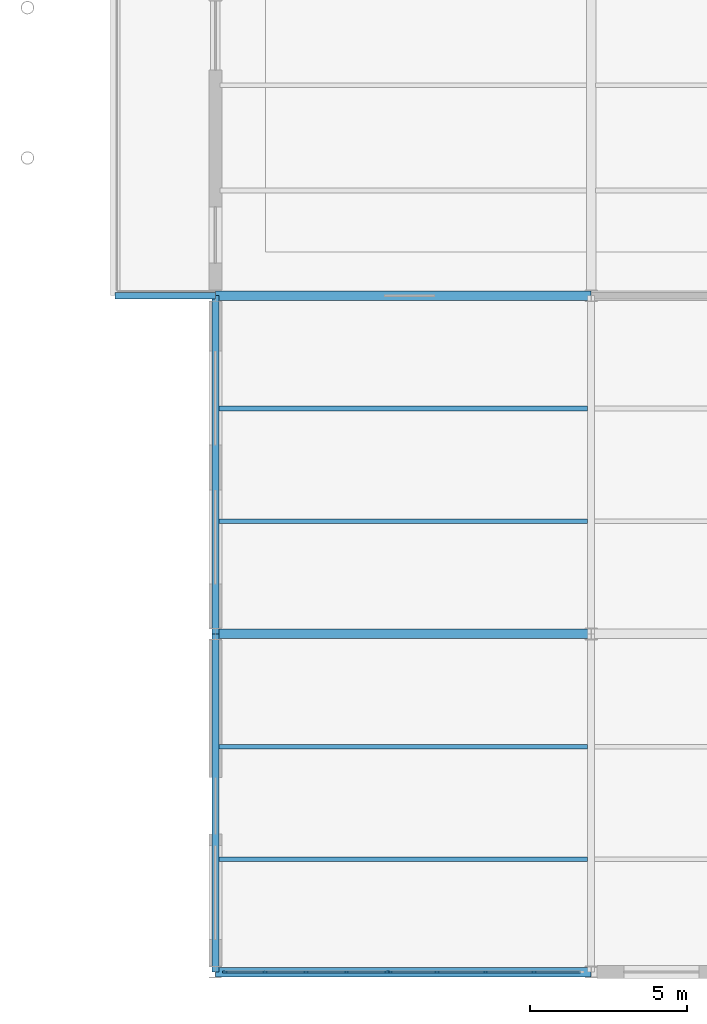
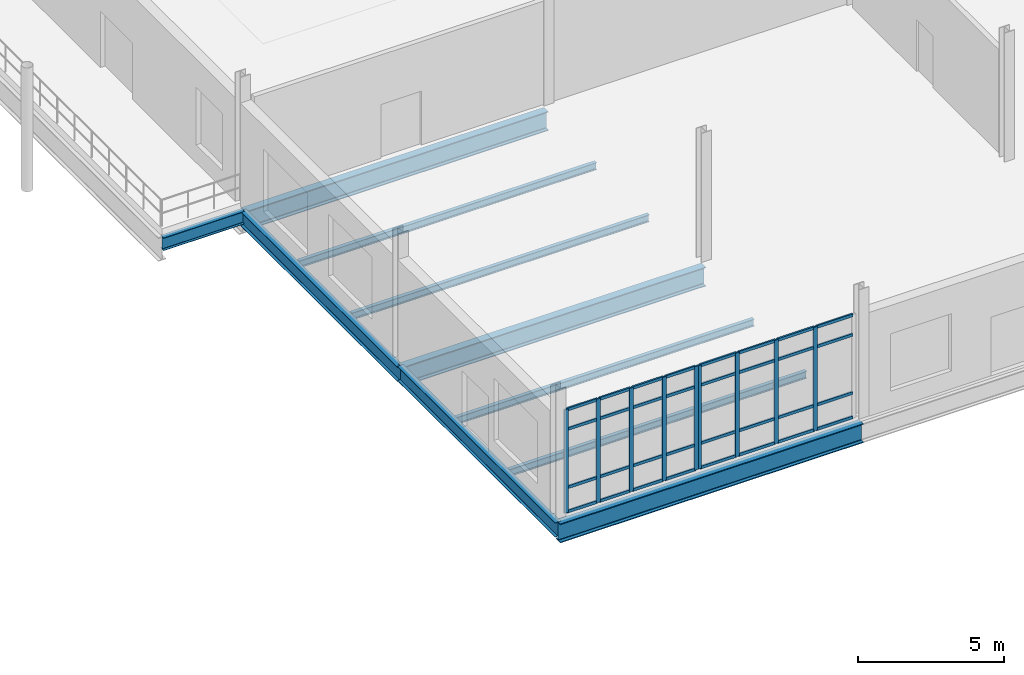
# One storey, part 41 of 111: 41 members, 10 beams, 2 elements without a shape of their own.
"""IFC4 building model written with IfcOpenShell, lengths in metres."""

from ifc_helpers import new_model, si_unit, direction, frame, origin, origin_2d, place, context, subcontext, project, spatial, rectangle, i_section, extrude, material, layer, layer_set, material_profile, profile_set, type_object, element, aggregate, save


model = new_model("IFC4")

# Units and contexts
model_context = context("Model", 3, precision=1e-05, world=origin(), true_north=direction((0.0, 1.0)))
body_context = subcontext(model_context, "Body", "Model", "MODEL_VIEW")
ifc_project = project(units=[si_unit("LENGTHUNIT", "METRE"), si_unit("AREAUNIT", "SQUARE_METRE"), si_unit("VOLUMEUNIT", "CUBIC_METRE"), si_unit("PLANEANGLEUNIT", "RADIAN"), si_unit("MASSUNIT", "GRAM", prefix="KILO"), si_unit("THERMODYNAMICTEMPERATUREUNIT", "KELVIN"), si_unit("POWERUNIT", "WATT")], contexts=[model_context])

# Site, building, storey
site_placement = place(None, origin())
site = spatial("IfcSite", under=ifc_project, at=site_placement, CompositionType="ELEMENT")
building_placement = place(site_placement, origin())
building = spatial("IfcBuilding", under=site, at=building_placement, Name="Tembeka Court Mobility Hub", CompositionType="ELEMENT")
storey_placement = place(building_placement, origin())
storey = spatial("IfcBuildingStorey", under=building, at=storey_placement, Name="L00", CompositionType="ELEMENT", Elevation=0.0)

# Beams
ifc_material_1 = material(Name="Steel S355", Category="steel")
ifc_material_profile_1 = material_profile(ifc_material_1, i_section(OverallWidth=0.22900390625, OverallDepth=0.612060546875, WebThickness=0.011962890625, FlangeThickness=0.01953125, FilletRadius=0.0126953125, at=origin_2d()), Name="UKB 610x229x125")
ifc_profile_set_1 = profile_set([ifc_material_profile_1], Name="Steel S355")
beam_type_1 = type_object("IfcBeamType", Name="BM-G02", PredefinedType="USERDEFINED", material=ifc_profile_set_1)
for number, where, z_axis, x_axis, name in (
    (1, (116.39990234375, 0.0, -0.5859375), (0.0, 1.0, 0.0), (-1.0, 0.0, 0.0), "Beam G02 (BM-L00-Y0274)"),
    (2, (116.39990234375, 10.800048828125, -0.6259765625), (0.0, 1.0, 0.0), (-1.0, 0.0, 0.0), "Beam G02 (BM-L00-Y0275)"),
):
    element("IfcBeam", number, at=place(storey_placement, frame(where, z_axis=z_axis, x_axis=x_axis)), inside=storey, type_object=beam_type_1, Name=name, ObjectType="GIRDER", PredefinedType="USERDEFINED", context=body_context, shape_type="SweptSolid", body=[
        extrude(i_section(OverallWidth=0.22900390625, OverallDepth=0.612060546875, WebThickness=0.011962890625, FlangeThickness=0.01953125, FilletRadius=0.0126953125, at=origin_2d()), origin(), (0.0, 0.0, 1.0), 10.800048828125),
    ])
ifc_material_profile_2 = material_profile(ifc_material_1, i_section(OverallWidth=0.2099609375, OverallDepth=0.537109375, WebThickness=0.0107421875, FlangeThickness=0.017333984375, FilletRadius=0.0126953125, at=origin_2d()), Name="UKB 533x210x101")
ifc_profile_set_2 = profile_set([ifc_material_profile_2], Name="Steel S355")
beam_type_2 = type_object("IfcBeamType", Name="BM-G03", PredefinedType="USERDEFINED", material=ifc_profile_set_2)
beam_placement = place(storey_placement, frame((113.199951171875, 21.60009765625, -0.58837890625), z_axis=(1.0, 0.0, 0.0), x_axis=(0.0, 1.0, 0.0)))
element("IfcBeam", 3, at=beam_placement, inside=storey, type_object=beam_type_2, Name="Beam G03 (BM-L00-X0035)", ObjectType="GIRDER", PredefinedType="USERDEFINED", context=body_context, shape_type="SweptSolid", body=[
    extrude(i_section(OverallWidth=0.2099609375, OverallDepth=0.537109375, WebThickness=0.0107421875, FlangeThickness=0.017333984375, FilletRadius=0.0126953125, at=origin_2d()), origin(), (0.0, 0.0, 1.0), 3.199951171875),
])
ifc_material_profile_3 = material_profile(ifc_material_1, i_section(OverallWidth=0.300048828125, OverallDepth=0.800048828125, WebThickness=0.017578125, FlangeThickness=0.034912109375, FilletRadius=0.030029296875, at=origin_2d()), Name="HEB 800")
ifc_profile_set_3 = profile_set([ifc_material_profile_3], Name="Steel S355")
beam_type_3 = type_object("IfcBeamType", Name="BM-G04", PredefinedType="USERDEFINED", material=ifc_profile_set_3)
for number, where, z_axis, x_axis, name in (
    (4, (116.39990234375, 0.0, -0.679931640625), (1.0, 0.0, 0.0), (0.0, 1.0, 0.0), "Beam G04 (BM-L00-X0011)"),
    (5, (116.39990234375, 10.800048828125, -0.679931640625), (1.0, 0.0, 0.0), (0.0, 1.0, 0.0), "Beam G04 (BM-L00-X0019)"),
    (6, (116.39990234375, 21.60009765625, -0.719970703125), (1.0, 0.0, 0.0), (0.0, 1.0, 0.0), "Beam G04 (BM-L00-X0036)"),
):
    element("IfcBeam", number, at=place(storey_placement, frame(where, z_axis=z_axis, x_axis=x_axis)), inside=storey, type_object=beam_type_3, Name=name, ObjectType="GIRDER", PredefinedType="USERDEFINED", context=body_context, shape_type="SweptSolid", body=[
        extrude(i_section(OverallWidth=0.300048828125, OverallDepth=0.800048828125, WebThickness=0.017578125, FlangeThickness=0.034912109375, FilletRadius=0.030029296875, at=origin_2d()), origin(), (0.0, 0.0, 1.0), 12.0),
    ])
ifc_material_profile_4 = material_profile(ifc_material_1, i_section(OverallWidth=0.14990234375, OverallDepth=0.300048828125, WebThickness=0.007080078125, FlangeThickness=0.0107421875, FilletRadius=0.014892578125, at=origin_2d()), Name="IPE 300")
ifc_profile_set_4 = profile_set([ifc_material_profile_4], Name="Steel S355")
beam_type_4 = type_object("IfcBeamType", Name="BM-J04", PredefinedType="JOIST", material=ifc_profile_set_4)
for number, where, z_axis, x_axis, name in (
    (7, (116.509521484375, 3.60009765625, -0.429931640625), (1.0, 0.0, 0.0), (0.0, 1.0, 0.0), "Beam J04 (JST-L00-0522)"),
    (8, (116.509521484375, 7.199951171875, -0.429931640625), (1.0, 0.0, 0.0), (0.0, 1.0, 0.0), "Beam J04 (JST-L00-0523)"),
    (9, (116.509521484375, 14.39990234375, -0.429931640625), (1.0, 0.0, 0.0), (0.0, 1.0, 0.0), "Beam J04 (JST-L00-0524)"),
    (10, (116.509521484375, 18.0, -0.429931640625), (1.0, 0.0, 0.0), (0.0, 1.0, 0.0), "Beam J04 (JST-L00-0525)"),
):
    element("IfcBeam", number, at=place(storey_placement, frame(where, z_axis=z_axis, x_axis=x_axis)), inside=storey, type_object=beam_type_4, Name=name, PredefinedType="JOIST", context=body_context, shape_type="SweptSolid", body=[
        extrude(i_section(OverallWidth=0.14990234375, OverallDepth=0.300048828125, WebThickness=0.007080078125, FlangeThickness=0.0107421875, FilletRadius=0.014892578125, at=origin_2d()), origin(), (0.0, 0.0, 1.0), 11.781005859375),
    ])

# Curtain wall, members
ifc_material_2 = material(Name="Anodised aluminium 6063-T6", Category="aluminium")
ifc_layer_1 = layer(ifc_material_2, 0.159912109375)
ifc_layer_set_1 = layer_set([ifc_layer_1], Name="Anodised aluminium 6063-T6")
curtain_wall_type_1 = type_object("IfcCurtainWallType", Name="CW-SYS31", PredefinedType="USERDEFINED", material=ifc_layer_set_1)
curtain_wall_1_placement = place(storey_placement, origin())
curtain_wall_1 = element("IfcCurtainWall", 11, at=curtain_wall_1_placement, inside=storey, type_object=curtain_wall_type_1, Name="Unitised curtain wall CW31 (CW-L00-093)", ObjectType="UNITISED GLAZING", PredefinedType="USERDEFINED")
ifc_material_profile_5 = material_profile(ifc_material_2, rectangle(XDim=0.06494140625, YDim=0.159912109375, at=origin_2d()), Name="ALU-MUL 65x160")
ifc_profile_set_5 = profile_set([ifc_material_profile_5], Name="Anodised aluminium 6063-T6")
member_type_1 = type_object("IfcMemberType", Name="CW-MUL01", PredefinedType="MULLION", material=ifc_profile_set_5)
member_1_placement = place(storey_placement, frame((116.71240234375, 0.0, 0.0), z_axis=(0.0, 0.0, 1.0), x_axis=(0.0, 1.0, 0.0)))
member_1 = element("IfcMember", 12, at=member_1_placement, type_object=member_type_1, Name="CW31 mullion 1", PredefinedType="MULLION", context=body_context, shape_type="SweptSolid", body=[
    extrude(rectangle(XDim=0.06494140625, YDim=0.159912109375, at=origin_2d()), origin(), (0.0, 0.0, 1.0), 4.3349609375),
])
member_2_placement = place(storey_placement, frame((117.985107421875, 0.0, 0.0), z_axis=(0.0, 0.0, 1.0), x_axis=(0.0, 1.0, 0.0)))
member_2 = element("IfcMember", 13, at=member_2_placement, type_object=member_type_1, Name="CW31 mullion 2", PredefinedType="MULLION", context=body_context, shape_type="SweptSolid", body=[
    extrude(rectangle(XDim=0.06494140625, YDim=0.159912109375, at=origin_2d()), origin(), (0.0, 0.0, 1.0), 4.3349609375),
])
member_3_placement = place(storey_placement, frame((119.2900390625, 0.0, 0.0), z_axis=(0.0, 0.0, 1.0), x_axis=(0.0, 1.0, 0.0)))
member_3 = element("IfcMember", 14, at=member_3_placement, type_object=member_type_1, Name="CW31 mullion 3", PredefinedType="MULLION", context=body_context, shape_type="SweptSolid", body=[
    extrude(rectangle(XDim=0.06494140625, YDim=0.159912109375, at=origin_2d()), origin(), (0.0, 0.0, 1.0), 4.3349609375),
])
member_4_placement = place(storey_placement, frame((120.594970703125, 0.0, 0.0), z_axis=(0.0, 0.0, 1.0), x_axis=(0.0, 1.0, 0.0)))
member_4 = element("IfcMember", 15, at=member_4_placement, type_object=member_type_1, Name="CW31 mullion 4", PredefinedType="MULLION", context=body_context, shape_type="SweptSolid", body=[
    extrude(rectangle(XDim=0.06494140625, YDim=0.159912109375, at=origin_2d()), origin(), (0.0, 0.0, 1.0), 4.3349609375),
])
member_5_placement = place(storey_placement, frame((121.867431640625, 0.0, 0.0), z_axis=(0.0, 0.0, 1.0), x_axis=(0.0, 1.0, 0.0)))
member_5 = element("IfcMember", 16, at=member_5_placement, type_object=member_type_1, Name="CW31 mullion 5", PredefinedType="MULLION", context=body_context, shape_type="SweptSolid", body=[
    extrude(rectangle(XDim=0.06494140625, YDim=0.159912109375, at=origin_2d()), origin(), (0.0, 0.0, 1.0), 4.3349609375),
])

ifc_layer_2 = layer(ifc_material_2, 0.159912109375)
ifc_layer_set_2 = layer_set([ifc_layer_2], Name="Anodised aluminium 6063-T6")
curtain_wall_type_2 = type_object("IfcCurtainWallType", Name="CW-SYS32", PredefinedType="USERDEFINED", material=ifc_layer_set_2)
curtain_wall_2_placement = place(storey_placement, origin())
curtain_wall_2 = element("IfcCurtainWall", 17, at=curtain_wall_2_placement, inside=storey, type_object=curtain_wall_type_2, Name="Unitised curtain wall CW32 (CW-L00-094)", ObjectType="UNITISED GLAZING", PredefinedType="USERDEFINED")
member_6_placement = place(storey_placement, frame((121.972412109375, 0.0, 0.0), z_axis=(0.0, 0.0, 1.0), x_axis=(0.0, 1.0, 0.0)))
member_6 = element("IfcMember", 18, at=member_6_placement, type_object=member_type_1, Name="CW32 mullion 1", PredefinedType="MULLION", context=body_context, shape_type="SweptSolid", body=[
    extrude(rectangle(XDim=0.06494140625, YDim=0.159912109375, at=origin_2d()), origin(), (0.0, 0.0, 1.0), 4.3349609375),
])
member_7_placement = place(storey_placement, frame((123.485107421875, 0.0, 0.0), z_axis=(0.0, 0.0, 1.0), x_axis=(0.0, 1.0, 0.0)))
member_7 = element("IfcMember", 19, at=member_7_placement, type_object=member_type_1, Name="CW32 mullion 2", PredefinedType="MULLION", context=body_context, shape_type="SweptSolid", body=[
    extrude(rectangle(XDim=0.06494140625, YDim=0.159912109375, at=origin_2d()), origin(), (0.0, 0.0, 1.0), 4.3349609375),
])
member_8_placement = place(storey_placement, frame((125.030029296875, 0.0, 0.0), z_axis=(0.0, 0.0, 1.0), x_axis=(0.0, 1.0, 0.0)))
member_8 = element("IfcMember", 20, at=member_8_placement, type_object=member_type_1, Name="CW32 mullion 3", PredefinedType="MULLION", context=body_context, shape_type="SweptSolid", body=[
    extrude(rectangle(XDim=0.06494140625, YDim=0.159912109375, at=origin_2d()), origin(), (0.0, 0.0, 1.0), 4.3349609375),
])
member_9_placement = place(storey_placement, frame((126.574951171875, 0.0, 0.0), z_axis=(0.0, 0.0, 1.0), x_axis=(0.0, 1.0, 0.0)))
member_9 = element("IfcMember", 21, at=member_9_placement, type_object=member_type_1, Name="CW32 mullion 4", PredefinedType="MULLION", context=body_context, shape_type="SweptSolid", body=[
    extrude(rectangle(XDim=0.06494140625, YDim=0.159912109375, at=origin_2d()), origin(), (0.0, 0.0, 1.0), 4.3349609375),
])

# Member
ifc_material_profile_6 = material_profile(ifc_material_2, rectangle(XDim=0.06494140625, YDim=0.1201171875, at=origin_2d()), Name="ALU-TRN 65x120")
ifc_profile_set_6 = profile_set([ifc_material_profile_6], Name="Anodised aluminium 6063-T6")
member_type_2 = type_object("IfcMemberType", Name="CW-TRN01", PredefinedType="USERDEFINED", material=ifc_profile_set_6)
member_10_placement = place(storey_placement, frame((116.7451171875, 0.0, 0.032470703125), z_axis=(1.0, 0.0, 0.0), x_axis=(0.0, 1.0, 0.0)))
member_10 = element("IfcMember", 22, at=member_10_placement, type_object=member_type_2, Name="CW31 transom 1.1", ObjectType="TRANSOM", PredefinedType="USERDEFINED", context=body_context, shape_type="SweptSolid", body=[
    extrude(rectangle(XDim=0.06494140625, YDim=0.1201171875, at=origin_2d()), origin(), (0.0, 0.0, 1.0), 1.207275390625),
])

member_11_placement = place(storey_placement, frame((116.7451171875, 0.0, 1.050048828125), z_axis=(1.0, 0.0, 0.0), x_axis=(0.0, 1.0, 0.0)))
member_11 = element("IfcMember", 23, at=member_11_placement, type_object=member_type_2, Name="CW31 transom 1.2", ObjectType="TRANSOM", PredefinedType="USERDEFINED", context=body_context, shape_type="SweptSolid", body=[
    extrude(rectangle(XDim=0.06494140625, YDim=0.1201171875, at=origin_2d()), origin(), (0.0, 0.0, 1.0), 1.207275390625),
])

member_12_placement = place(storey_placement, frame((116.7451171875, 0.0, 3.485107421875), z_axis=(1.0, 0.0, 0.0), x_axis=(0.0, 1.0, 0.0)))
member_12 = element("IfcMember", 24, at=member_12_placement, type_object=member_type_2, Name="CW31 transom 1.3", ObjectType="TRANSOM", PredefinedType="USERDEFINED", context=body_context, shape_type="SweptSolid", body=[
    extrude(rectangle(XDim=0.06494140625, YDim=0.1201171875, at=origin_2d()), origin(), (0.0, 0.0, 1.0), 1.207275390625),
])

member_13_placement = place(storey_placement, frame((116.7451171875, 0.0, 4.302490234375), z_axis=(1.0, 0.0, 0.0), x_axis=(0.0, 1.0, 0.0)))
member_13 = element("IfcMember", 25, at=member_13_placement, type_object=member_type_2, Name="CW31 transom 1.4", ObjectType="TRANSOM", PredefinedType="USERDEFINED", context=body_context, shape_type="SweptSolid", body=[
    extrude(rectangle(XDim=0.06494140625, YDim=0.1201171875, at=origin_2d()), origin(), (0.0, 0.0, 1.0), 1.207275390625),
])

member_14_placement = place(storey_placement, frame((118.017578125, 0.0, 0.032470703125), z_axis=(1.0, 0.0, 0.0), x_axis=(0.0, 1.0, 0.0)))
member_14 = element("IfcMember", 26, at=member_14_placement, type_object=member_type_2, Name="CW31 transom 2.1", ObjectType="TRANSOM", PredefinedType="USERDEFINED", context=body_context, shape_type="SweptSolid", body=[
    extrude(rectangle(XDim=0.06494140625, YDim=0.1201171875, at=origin_2d()), origin(), (0.0, 0.0, 1.0), 1.239990234375),
])

member_15_placement = place(storey_placement, frame((118.017578125, 0.0, 1.050048828125), z_axis=(1.0, 0.0, 0.0), x_axis=(0.0, 1.0, 0.0)))
member_15 = element("IfcMember", 27, at=member_15_placement, type_object=member_type_2, Name="CW31 transom 2.2", ObjectType="TRANSOM", PredefinedType="USERDEFINED", context=body_context, shape_type="SweptSolid", body=[
    extrude(rectangle(XDim=0.06494140625, YDim=0.1201171875, at=origin_2d()), origin(), (0.0, 0.0, 1.0), 1.239990234375),
])

member_16_placement = place(storey_placement, frame((118.017578125, 0.0, 3.485107421875), z_axis=(1.0, 0.0, 0.0), x_axis=(0.0, 1.0, 0.0)))
member_16 = element("IfcMember", 28, at=member_16_placement, type_object=member_type_2, Name="CW31 transom 2.3", ObjectType="TRANSOM", PredefinedType="USERDEFINED", context=body_context, shape_type="SweptSolid", body=[
    extrude(rectangle(XDim=0.06494140625, YDim=0.1201171875, at=origin_2d()), origin(), (0.0, 0.0, 1.0), 1.239990234375),
])

member_17_placement = place(storey_placement, frame((118.017578125, 0.0, 4.302490234375), z_axis=(1.0, 0.0, 0.0), x_axis=(0.0, 1.0, 0.0)))
member_17 = element("IfcMember", 29, at=member_17_placement, type_object=member_type_2, Name="CW31 transom 2.4", ObjectType="TRANSOM", PredefinedType="USERDEFINED", context=body_context, shape_type="SweptSolid", body=[
    extrude(rectangle(XDim=0.06494140625, YDim=0.1201171875, at=origin_2d()), origin(), (0.0, 0.0, 1.0), 1.239990234375),
])

member_18_placement = place(storey_placement, frame((119.322509765625, 0.0, 0.032470703125), z_axis=(1.0, 0.0, 0.0), x_axis=(0.0, 1.0, 0.0)))
member_18 = element("IfcMember", 30, at=member_18_placement, type_object=member_type_2, Name="CW31 transom 3.1", ObjectType="TRANSOM", PredefinedType="USERDEFINED", context=body_context, shape_type="SweptSolid", body=[
    extrude(rectangle(XDim=0.06494140625, YDim=0.1201171875, at=origin_2d()), origin(), (0.0, 0.0, 1.0), 1.239990234375),
])

member_19_placement = place(storey_placement, frame((119.322509765625, 0.0, 1.050048828125), z_axis=(1.0, 0.0, 0.0), x_axis=(0.0, 1.0, 0.0)))
member_19 = element("IfcMember", 31, at=member_19_placement, type_object=member_type_2, Name="CW31 transom 3.2", ObjectType="TRANSOM", PredefinedType="USERDEFINED", context=body_context, shape_type="SweptSolid", body=[
    extrude(rectangle(XDim=0.06494140625, YDim=0.1201171875, at=origin_2d()), origin(), (0.0, 0.0, 1.0), 1.239990234375),
])

member_20_placement = place(storey_placement, frame((119.322509765625, 0.0, 3.485107421875), z_axis=(1.0, 0.0, 0.0), x_axis=(0.0, 1.0, 0.0)))
member_20 = element("IfcMember", 32, at=member_20_placement, type_object=member_type_2, Name="CW31 transom 3.3", ObjectType="TRANSOM", PredefinedType="USERDEFINED", context=body_context, shape_type="SweptSolid", body=[
    extrude(rectangle(XDim=0.06494140625, YDim=0.1201171875, at=origin_2d()), origin(), (0.0, 0.0, 1.0), 1.239990234375),
])

member_21_placement = place(storey_placement, frame((119.322509765625, 0.0, 4.302490234375), z_axis=(1.0, 0.0, 0.0), x_axis=(0.0, 1.0, 0.0)))
member_21 = element("IfcMember", 33, at=member_21_placement, type_object=member_type_2, Name="CW31 transom 3.4", ObjectType="TRANSOM", PredefinedType="USERDEFINED", context=body_context, shape_type="SweptSolid", body=[
    extrude(rectangle(XDim=0.06494140625, YDim=0.1201171875, at=origin_2d()), origin(), (0.0, 0.0, 1.0), 1.239990234375),
])

member_22_placement = place(storey_placement, frame((120.62744140625, 0.0, 0.032470703125), z_axis=(1.0, 0.0, 0.0), x_axis=(0.0, 1.0, 0.0)))
member_22 = element("IfcMember", 34, at=member_22_placement, type_object=member_type_2, Name="CW31 transom 4.1", ObjectType="TRANSOM", PredefinedType="USERDEFINED", context=body_context, shape_type="SweptSolid", body=[
    extrude(rectangle(XDim=0.06494140625, YDim=0.1201171875, at=origin_2d()), origin(), (0.0, 0.0, 1.0), 1.20751953125),
])

member_23_placement = place(storey_placement, frame((120.62744140625, 0.0, 1.050048828125), z_axis=(1.0, 0.0, 0.0), x_axis=(0.0, 1.0, 0.0)))
member_23 = element("IfcMember", 35, at=member_23_placement, type_object=member_type_2, Name="CW31 transom 4.2", ObjectType="TRANSOM", PredefinedType="USERDEFINED", context=body_context, shape_type="SweptSolid", body=[
    extrude(rectangle(XDim=0.06494140625, YDim=0.1201171875, at=origin_2d()), origin(), (0.0, 0.0, 1.0), 1.20751953125),
])

member_24_placement = place(storey_placement, frame((120.62744140625, 0.0, 3.485107421875), z_axis=(1.0, 0.0, 0.0), x_axis=(0.0, 1.0, 0.0)))
member_24 = element("IfcMember", 36, at=member_24_placement, type_object=member_type_2, Name="CW31 transom 4.3", ObjectType="TRANSOM", PredefinedType="USERDEFINED", context=body_context, shape_type="SweptSolid", body=[
    extrude(rectangle(XDim=0.06494140625, YDim=0.1201171875, at=origin_2d()), origin(), (0.0, 0.0, 1.0), 1.20751953125),
])

member_25_placement = place(storey_placement, frame((120.62744140625, 0.0, 4.302490234375), z_axis=(1.0, 0.0, 0.0), x_axis=(0.0, 1.0, 0.0)))
member_25 = element("IfcMember", 37, at=member_25_placement, type_object=member_type_2, Name="CW31 transom 4.4", ObjectType="TRANSOM", PredefinedType="USERDEFINED", context=body_context, shape_type="SweptSolid", body=[
    extrude(rectangle(XDim=0.06494140625, YDim=0.1201171875, at=origin_2d()), origin(), (0.0, 0.0, 1.0), 1.20751953125),
])

aggregate(curtain_wall_1, [member_1, member_2, member_3, member_4, member_5, member_10, member_11, member_12, member_13, member_14, member_15, member_16, member_17, member_18, member_19, member_20, member_21, member_22, member_23, member_24, member_25])

member_26_placement = place(storey_placement, frame((122.0048828125, 0.0, 0.032470703125), z_axis=(1.0, 0.0, 0.0), x_axis=(0.0, 1.0, 0.0)))
member_26 = element("IfcMember", 38, at=member_26_placement, type_object=member_type_2, Name="CW32 transom 1.1", ObjectType="TRANSOM", PredefinedType="USERDEFINED", context=body_context, shape_type="SweptSolid", body=[
    extrude(rectangle(XDim=0.06494140625, YDim=0.1201171875, at=origin_2d()), origin(), (0.0, 0.0, 1.0), 1.447509765625),
])

member_27_placement = place(storey_placement, frame((122.0048828125, 0.0, 1.050048828125), z_axis=(1.0, 0.0, 0.0), x_axis=(0.0, 1.0, 0.0)))
member_27 = element("IfcMember", 39, at=member_27_placement, type_object=member_type_2, Name="CW32 transom 1.2", ObjectType="TRANSOM", PredefinedType="USERDEFINED", context=body_context, shape_type="SweptSolid", body=[
    extrude(rectangle(XDim=0.06494140625, YDim=0.1201171875, at=origin_2d()), origin(), (0.0, 0.0, 1.0), 1.447509765625),
])

member_28_placement = place(storey_placement, frame((122.0048828125, 0.0, 3.485107421875), z_axis=(1.0, 0.0, 0.0), x_axis=(0.0, 1.0, 0.0)))
member_28 = element("IfcMember", 40, at=member_28_placement, type_object=member_type_2, Name="CW32 transom 1.3", ObjectType="TRANSOM", PredefinedType="USERDEFINED", context=body_context, shape_type="SweptSolid", body=[
    extrude(rectangle(XDim=0.06494140625, YDim=0.1201171875, at=origin_2d()), origin(), (0.0, 0.0, 1.0), 1.447509765625),
])

member_29_placement = place(storey_placement, frame((122.0048828125, 0.0, 4.302490234375), z_axis=(1.0, 0.0, 0.0), x_axis=(0.0, 1.0, 0.0)))
member_29 = element("IfcMember", 41, at=member_29_placement, type_object=member_type_2, Name="CW32 transom 1.4", ObjectType="TRANSOM", PredefinedType="USERDEFINED", context=body_context, shape_type="SweptSolid", body=[
    extrude(rectangle(XDim=0.06494140625, YDim=0.1201171875, at=origin_2d()), origin(), (0.0, 0.0, 1.0), 1.447509765625),
])

member_30_placement = place(storey_placement, frame((123.517578125, 0.0, 0.032470703125), z_axis=(1.0, 0.0, 0.0), x_axis=(0.0, 1.0, 0.0)))
member_30 = element("IfcMember", 42, at=member_30_placement, type_object=member_type_2, Name="CW32 transom 2.1", ObjectType="TRANSOM", PredefinedType="USERDEFINED", context=body_context, shape_type="SweptSolid", body=[
    extrude(rectangle(XDim=0.06494140625, YDim=0.1201171875, at=origin_2d()), origin(), (0.0, 0.0, 1.0), 1.47998046875),
])

member_31_placement = place(storey_placement, frame((123.517578125, 0.0, 1.050048828125), z_axis=(1.0, 0.0, 0.0), x_axis=(0.0, 1.0, 0.0)))
member_31 = element("IfcMember", 43, at=member_31_placement, type_object=member_type_2, Name="CW32 transom 2.2", ObjectType="TRANSOM", PredefinedType="USERDEFINED", context=body_context, shape_type="SweptSolid", body=[
    extrude(rectangle(XDim=0.06494140625, YDim=0.1201171875, at=origin_2d()), origin(), (0.0, 0.0, 1.0), 1.47998046875),
])

member_32_placement = place(storey_placement, frame((123.517578125, 0.0, 3.485107421875), z_axis=(1.0, 0.0, 0.0), x_axis=(0.0, 1.0, 0.0)))
member_32 = element("IfcMember", 44, at=member_32_placement, type_object=member_type_2, Name="CW32 transom 2.3", ObjectType="TRANSOM", PredefinedType="USERDEFINED", context=body_context, shape_type="SweptSolid", body=[
    extrude(rectangle(XDim=0.06494140625, YDim=0.1201171875, at=origin_2d()), origin(), (0.0, 0.0, 1.0), 1.47998046875),
])

member_33_placement = place(storey_placement, frame((123.517578125, 0.0, 4.302490234375), z_axis=(1.0, 0.0, 0.0), x_axis=(0.0, 1.0, 0.0)))
member_33 = element("IfcMember", 45, at=member_33_placement, type_object=member_type_2, Name="CW32 transom 2.4", ObjectType="TRANSOM", PredefinedType="USERDEFINED", context=body_context, shape_type="SweptSolid", body=[
    extrude(rectangle(XDim=0.06494140625, YDim=0.1201171875, at=origin_2d()), origin(), (0.0, 0.0, 1.0), 1.47998046875),
])

member_34_placement = place(storey_placement, frame((125.0625, 0.0, 0.032470703125), z_axis=(1.0, 0.0, 0.0), x_axis=(0.0, 1.0, 0.0)))
member_34 = element("IfcMember", 46, at=member_34_placement, type_object=member_type_2, Name="CW32 transom 3.1", ObjectType="TRANSOM", PredefinedType="USERDEFINED", context=body_context, shape_type="SweptSolid", body=[
    extrude(rectangle(XDim=0.06494140625, YDim=0.1201171875, at=origin_2d()), origin(), (0.0, 0.0, 1.0), 1.47998046875),
])

member_35_placement = place(storey_placement, frame((125.0625, 0.0, 1.050048828125), z_axis=(1.0, 0.0, 0.0), x_axis=(0.0, 1.0, 0.0)))
member_35 = element("IfcMember", 47, at=member_35_placement, type_object=member_type_2, Name="CW32 transom 3.2", ObjectType="TRANSOM", PredefinedType="USERDEFINED", context=body_context, shape_type="SweptSolid", body=[
    extrude(rectangle(XDim=0.06494140625, YDim=0.1201171875, at=origin_2d()), origin(), (0.0, 0.0, 1.0), 1.47998046875),
])

member_36_placement = place(storey_placement, frame((125.0625, 0.0, 3.485107421875), z_axis=(1.0, 0.0, 0.0), x_axis=(0.0, 1.0, 0.0)))
member_36 = element("IfcMember", 48, at=member_36_placement, type_object=member_type_2, Name="CW32 transom 3.3", ObjectType="TRANSOM", PredefinedType="USERDEFINED", context=body_context, shape_type="SweptSolid", body=[
    extrude(rectangle(XDim=0.06494140625, YDim=0.1201171875, at=origin_2d()), origin(), (0.0, 0.0, 1.0), 1.47998046875),
])

member_37_placement = place(storey_placement, frame((125.0625, 0.0, 4.302490234375), z_axis=(1.0, 0.0, 0.0), x_axis=(0.0, 1.0, 0.0)))
member_37 = element("IfcMember", 49, at=member_37_placement, type_object=member_type_2, Name="CW32 transom 3.4", ObjectType="TRANSOM", PredefinedType="USERDEFINED", context=body_context, shape_type="SweptSolid", body=[
    extrude(rectangle(XDim=0.06494140625, YDim=0.1201171875, at=origin_2d()), origin(), (0.0, 0.0, 1.0), 1.47998046875),
])

member_38_placement = place(storey_placement, frame((126.607421875, 0.0, 0.032470703125), z_axis=(1.0, 0.0, 0.0), x_axis=(0.0, 1.0, 0.0)))
member_38 = element("IfcMember", 50, at=member_38_placement, type_object=member_type_2, Name="CW32 transom 4.1", ObjectType="TRANSOM", PredefinedType="USERDEFINED", context=body_context, shape_type="SweptSolid", body=[
    extrude(rectangle(XDim=0.06494140625, YDim=0.1201171875, at=origin_2d()), origin(), (0.0, 0.0, 1.0), 1.447509765625),
])

member_39_placement = place(storey_placement, frame((126.607421875, 0.0, 1.050048828125), z_axis=(1.0, 0.0, 0.0), x_axis=(0.0, 1.0, 0.0)))
member_39 = element("IfcMember", 51, at=member_39_placement, type_object=member_type_2, Name="CW32 transom 4.2", ObjectType="TRANSOM", PredefinedType="USERDEFINED", context=body_context, shape_type="SweptSolid", body=[
    extrude(rectangle(XDim=0.06494140625, YDim=0.1201171875, at=origin_2d()), origin(), (0.0, 0.0, 1.0), 1.447509765625),
])

member_40_placement = place(storey_placement, frame((126.607421875, 0.0, 3.485107421875), z_axis=(1.0, 0.0, 0.0), x_axis=(0.0, 1.0, 0.0)))
member_40 = element("IfcMember", 52, at=member_40_placement, type_object=member_type_2, Name="CW32 transom 4.3", ObjectType="TRANSOM", PredefinedType="USERDEFINED", context=body_context, shape_type="SweptSolid", body=[
    extrude(rectangle(XDim=0.06494140625, YDim=0.1201171875, at=origin_2d()), origin(), (0.0, 0.0, 1.0), 1.447509765625),
])

member_41_placement = place(storey_placement, frame((126.607421875, 0.0, 4.302490234375), z_axis=(1.0, 0.0, 0.0), x_axis=(0.0, 1.0, 0.0)))
member_41 = element("IfcMember", 53, at=member_41_placement, type_object=member_type_2, Name="CW32 transom 4.4", ObjectType="TRANSOM", PredefinedType="USERDEFINED", context=body_context, shape_type="SweptSolid", body=[
    extrude(rectangle(XDim=0.06494140625, YDim=0.1201171875, at=origin_2d()), origin(), (0.0, 0.0, 1.0), 1.447509765625),
])

aggregate(curtain_wall_2, [member_6, member_7, member_8, member_9, member_26, member_27, member_28, member_29, member_30, member_31, member_32, member_33, member_34, member_35, member_36, member_37, member_38, member_39, member_40, member_41])

save(model, "model.ifc")
